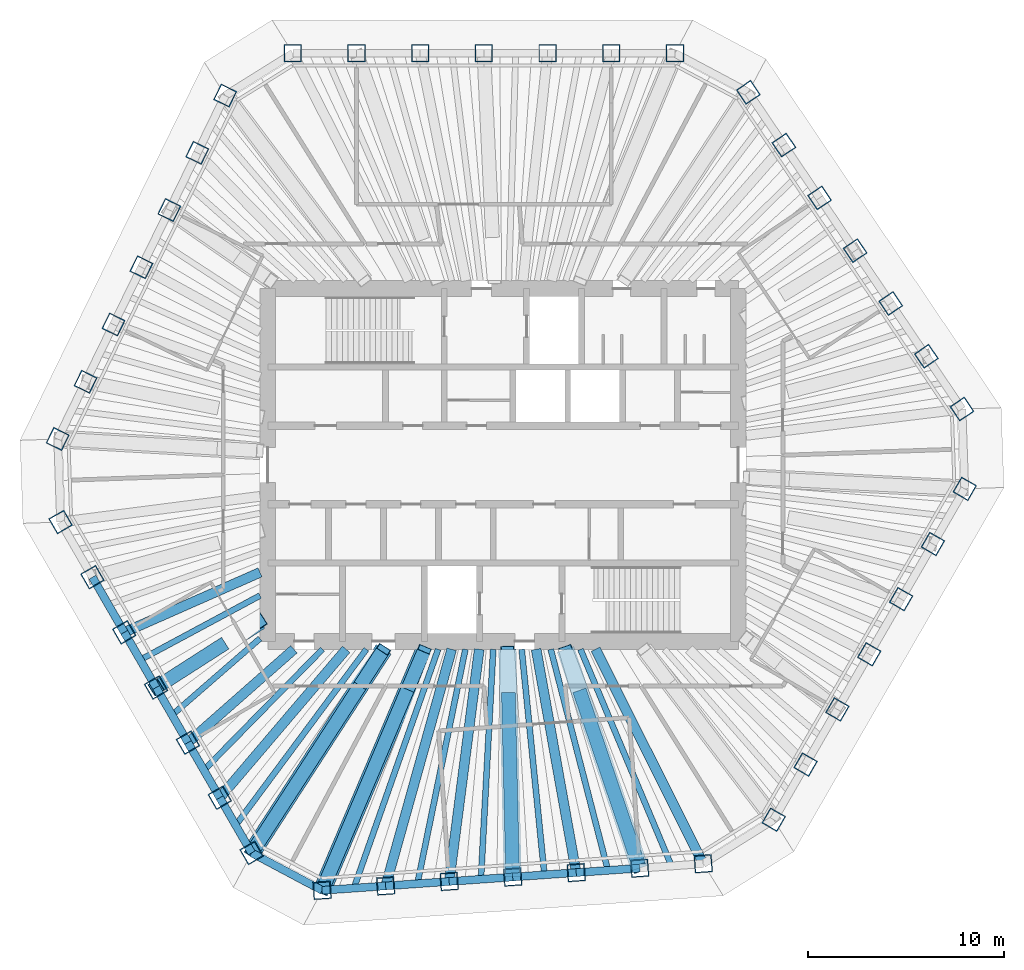
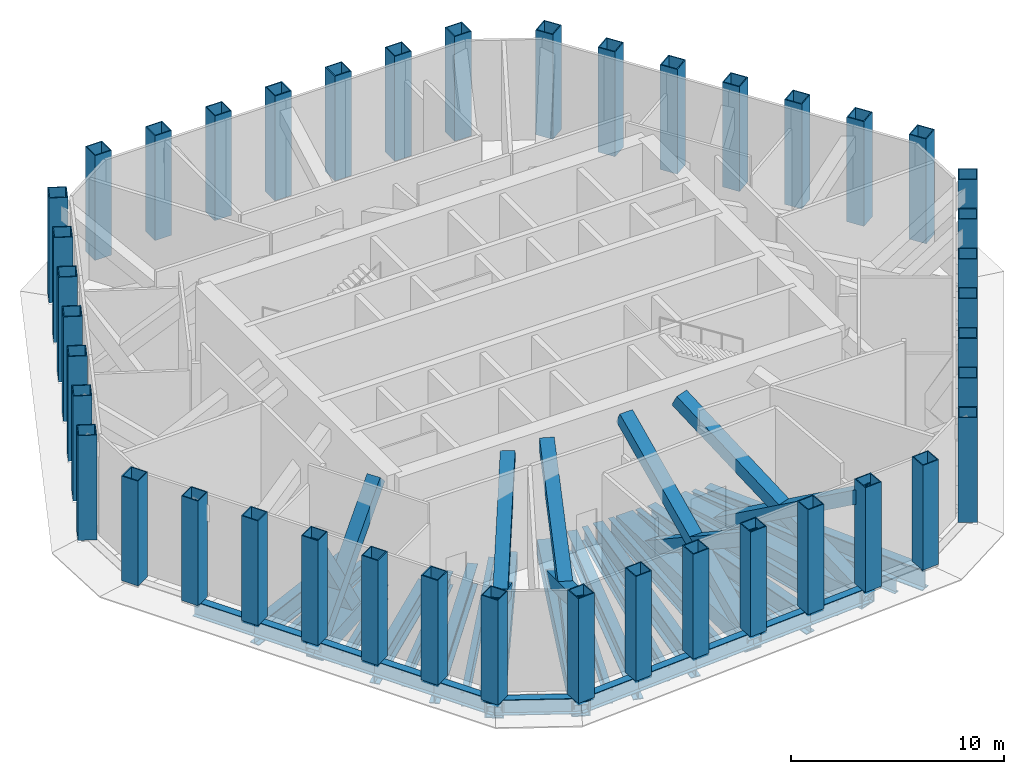
# One storey, part 1 of 10: 42 columns, 33 beams, 10 members.
"""IFC4 building model written with IfcOpenShell, lengths in metres."""

from ifc_helpers import new_model, si_unit, direction, frame, origin, origin_2d, place, context, subcontext, project, spatial, hollow_rectangle, i_section, extrude, material, material_profile, profile_set, type_object, element, save


model = new_model("IFC4")

# Units and contexts
model_context = context("Model", 3, precision=1e-05, world=origin(), true_north=direction((0.0, 1.0)))
body_context = subcontext(model_context, "Body", "Model", "MODEL_VIEW")
ifc_project = project(units=[si_unit("LENGTHUNIT", "METRE"), si_unit("AREAUNIT", "SQUARE_METRE"), si_unit("VOLUMEUNIT", "CUBIC_METRE"), si_unit("PLANEANGLEUNIT", "RADIAN"), si_unit("MASSUNIT", "GRAM", prefix="KILO")], contexts=[model_context])

# Site, building, storey
site_placement = place(None, origin())
site = spatial("IfcSite", under=ifc_project, at=site_placement, CompositionType="ELEMENT")
building_placement = place(site_placement, origin())
building = spatial("IfcBuilding", under=site, at=building_placement, Name="Qingtian Harvest Tower", CompositionType="ELEMENT")
storey_placement = place(building_placement, frame((0.0, 0.0, 337.60009765625)))
storey = spatial("IfcBuildingStorey", under=building, at=storey_placement, Name="L75", CompositionType="ELEMENT", Elevation=337.60009765625)

# Columns
ifc_material_1 = material(Name="Steel SM570MC", Category="steel")
ifc_material_profile_1 = material_profile(ifc_material_1, hollow_rectangle(XDim=0.89990234375, YDim=0.89990234375, WallThickness=0.050048828125, at=origin_2d()), Name="BOX900x900x50")
ifc_profile_set_1 = profile_set([ifc_material_profile_1], Name="Steel SM570MC")
column_type = type_object("IfcColumnType", Name="Tube column TC8 BOX900x900x50", PredefinedType="COLUMN", material=ifc_profile_set_1)
for number, where, z_axis, x_axis, name in (
    (1, (-10.72216796875, 21.0, 0.0), (0.0, 0.0, 1.0), (-1.0, 0.0, 0.0), "Tube column TC8 N0"),
    (2, (-7.47412109375, 21.0, 0.0), (0.0, 0.0, 1.0), (-1.0, 0.0, 0.0), "Tube column TC8 N1"),
    (3, (-4.226318359375, 21.0, 0.0), (0.0, 0.0, 1.0), (-1.0, 0.0, 0.0), "Tube column TC8 N2"),
    (4, (-0.978271484375, 21.0, 0.0), (0.0, 0.0, 1.0), (-1.0, 0.0, 0.0), "Tube column TC8 N3"),
    (5, (2.269775390625, 21.0, 0.0), (0.0, 0.0, 1.0), (-1.0, 0.0, 0.0), "Tube column TC8 N4"),
    (6, (5.517822265625, 21.0, 0.0), (0.0, 0.0, 1.0), (-1.0, 0.0, 0.0), "Tube column TC8 N5"),
    (7, (8.765869140625, 21.0, 0.0), (0.0, 0.0, 1.0), (-1.0, 0.0, 0.0), "Tube column TC8 N6"),
    (8, (12.508056640625, 19.01025390625, 0.0), (0.0, 0.0, 1.0), (-0.559192903471, 0.829037572555, 0.0), "Tube column TC8 NE0"),
    (9, (14.32421875, 16.317626953125, 0.0), (0.0, 0.0, 1.0), (-0.559192903471, 0.829037572555, 0.0), "Tube column TC8 NE1"),
    (10, (16.140625, 13.624755859375, 0.0), (0.0, 0.0, 1.0), (-0.559192903471, 0.829037572555, 0.0), "Tube column TC8 NE2"),
    (11, (17.956787109375, 10.93212890625, 0.0), (0.0, 0.0, 1.0), (-0.559192903471, 0.829037572555, 0.0), "Tube column TC8 NE3"),
    (12, (19.77294921875, 8.2392578125, 0.0), (0.0, 0.0, 1.0), (-0.559192903471, 0.829037572555, 0.0), "Tube column TC8 NE4"),
    (13, (21.58935546875, 5.546630859375, 0.0), (0.0, 0.0, 1.0), (-0.559192903471, 0.829037572555, 0.0), "Tube column TC8 NE5"),
    (14, (23.405517578125, 2.85400390625, 0.0), (0.0, 0.0, 1.0), (-0.559192903471, 0.829037572555, 0.0), "Tube column TC8 NE6"),
    (15, (23.547607421875, -1.21435546875, 0.0), (0.0, 0.0, 1.0), (0.5, 0.866025403784, 0.0), "Tube column TC8 SE0"),
    (16, (21.923583984375, -4.027099609375, 0.0), (0.0, 0.0, 1.0), (0.5, 0.866025403784, 0.0), "Tube column TC8 SE1"),
    (17, (20.299560546875, -6.840087890625, 0.0), (0.0, 0.0, 1.0), (0.5, 0.866025403784, 0.0), "Tube column TC8 SE2"),
    (18, (18.675537109375, -9.65283203125, 0.0), (0.0, 0.0, 1.0), (0.5, 0.866025403784, 0.0), "Tube column TC8 SE3"),
    (19, (17.051513671875, -12.4658203125, 0.0), (0.0, 0.0, 1.0), (0.5, 0.866025403784, 0.0), "Tube column TC8 SE4"),
    (20, (15.427490234375, -15.278564453125, 0.0), (0.0, 0.0, 1.0), (0.5, 0.866025403784, 0.0), "Tube column TC8 SE5"),
    (21, (13.803466796875, -18.091552734375, 0.0), (0.0, 0.0, 1.0), (0.5, 0.866025403784, 0.0), "Tube column TC8 SE6"),
    (22, (10.20947265625, -20.33740234375, 0.0), (0.0, 0.0, 1.0), (0.99756405026, 0.069756473744, 0.0), "Tube column TC8 S0"),
    (23, (6.96923828125, -20.56396484375, 0.0), (0.0, 0.0, 1.0), (0.99756405026, 0.069756473744, 0.0), "Tube column TC8 S1"),
    (24, (3.729248046875, -20.79052734375, 0.0), (0.0, 0.0, 1.0), (0.99756405026, 0.069756473744, 0.0), "Tube column TC8 S2"),
    (25, (0.489013671875, -21.01708984375, 0.0), (0.0, 0.0, 1.0), (0.99756405026, 0.069756473744, 0.0), "Tube column TC8 S3"),
    (26, (-2.7509765625, -21.24365234375, 0.0), (0.0, 0.0, 1.0), (0.99756405026, 0.069756473744, 0.0), "Tube column TC8 S4"),
    (27, (-5.9912109375, -21.47021484375, 0.0), (0.0, 0.0, 1.0), (0.99756405026, 0.069756473744, 0.0), "Tube column TC8 S5"),
    (28, (-9.231201171875, -21.69677734375, 0.0), (0.0, 0.0, 1.0), (0.99756405026, 0.069756473744, 0.0), "Tube column TC8 S6"),
    (29, (-12.825439453125, -19.78564453125, 0.0), (0.0, 0.0, 1.0), (0.5, -0.866025403784, 0.0), "Tube column TC8 SW0"),
    (30, (-14.449462890625, -16.972900390625, 0.0), (0.0, 0.0, 1.0), (0.5, -0.866025403784, 0.0), "Tube column TC8 SW1"),
    (31, (-16.073486328125, -14.159912109375, 0.0), (0.0, 0.0, 1.0), (0.5, -0.866025403784, 0.0), "Tube column TC8 SW2"),
    (32, (-17.697509765625, -11.34716796875, 0.0), (0.0, 0.0, 1.0), (0.5, -0.866025403784, 0.0), "Tube column TC8 SW3"),
    (33, (-19.321533203125, -8.5341796875, 0.0), (0.0, 0.0, 1.0), (0.5, -0.866025403784, 0.0), "Tube column TC8 SW4"),
    (34, (-20.945556640625, -5.721435546875, 0.0), (0.0, 0.0, 1.0), (0.5, -0.866025403784, 0.0), "Tube column TC8 SW5"),
    (35, (-22.569580078125, -2.908447265625, 0.0), (0.0, 0.0, 1.0), (0.5, -0.866025403784, 0.0), "Tube column TC8 SW6"),
    (36, (-22.71728515625, 1.3271484375, 0.0), (0.0, 0.0, 1.0), (-0.438371146789, -0.898794046299, 0.0), "Tube column TC8 NW0"),
    (37, (-21.29345703125, 4.246337890625, 0.0), (0.0, 0.0, 1.0), (-0.438371146789, -0.898794046299, 0.0), "Tube column TC8 NW1"),
    (38, (-19.86962890625, 7.165771484375, 0.0), (0.0, 0.0, 1.0), (-0.438371146789, -0.898794046299, 0.0), "Tube column TC8 NW2"),
    (39, (-18.44580078125, 10.0849609375, 0.0), (0.0, 0.0, 1.0), (-0.438371146789, -0.898794046299, 0.0), "Tube column TC8 NW3"),
    (40, (-17.02197265625, 13.00439453125, 0.0), (0.0, 0.0, 1.0), (-0.438371146789, -0.898794046299, 0.0), "Tube column TC8 NW4"),
    (41, (-15.59814453125, 15.923583984375, 0.0), (0.0, 0.0, 1.0), (-0.438371146789, -0.898794046299, 0.0), "Tube column TC8 NW5"),
    (42, (-14.17431640625, 18.8427734375, 0.0), (0.0, 0.0, 1.0), (-0.438371146789, -0.898794046299, 0.0), "Tube column TC8 NW6"),
):
    element("IfcColumn", number, at=place(storey_placement, frame(where, z_axis=z_axis, x_axis=x_axis)), inside=storey, type_object=column_type, Name=name, PredefinedType="COLUMN", context=body_context, shape_type="SweptSolid", body=[
        extrude(hollow_rectangle(XDim=0.89990234375, YDim=0.89990234375, WallThickness=0.050048828125, at=origin_2d()), origin(), (0.0, 0.0, 1.0), 6.0),
    ])

# Beams
ifc_material_2 = material(Name="Steel SN490B", Category="steel")
ifc_material_profile_2 = material_profile(ifc_material_2, i_section(OverallWidth=0.300048828125, OverallDepth=0.800048828125, WebThickness=0.013916015625, FlangeThickness=0.02587890625, at=origin_2d()), Name="H800x300x14x26")
ifc_profile_set_2 = profile_set([ifc_material_profile_2], Name="Steel SN490B")
beam_type_1 = type_object("IfcBeamType", Name="Floor joist J1 H800x300x14x26", PredefinedType="JOIST", material=ifc_profile_set_2)
beam_1_placement = place(storey_placement, frame((8.58935546875, -20.45068359375, -0.68017578125), z_axis=(-0.387234562114, 0.921981232946, 0.0), x_axis=(-0.921981232946, -0.387234562114, 0.0)))
element("IfcBeam", 43, at=beam_1_placement, inside=storey, type_object=beam_type_1, Name="Floor joist J1 S0", PredefinedType="JOIST", context=body_context, shape_type="SweptSolid", body=[
    extrude(i_section(OverallWidth=0.300048828125, OverallDepth=0.800048828125, WebThickness=0.013916015625, FlangeThickness=0.02587890625, at=origin_2d()), origin(), (0.0, 0.0, 1.0), 11.98583984375),
])
beam_2_placement = place(storey_placement, frame((5.349365234375, -20.67724609375, -0.68017578125), z_axis=(-0.250457336117, 0.968127637652, 0.0), x_axis=(-0.968127637652, -0.250457336117, 0.0)))
element("IfcBeam", 44, at=beam_2_placement, inside=storey, type_object=beam_type_1, Name="Floor joist J1 S1", PredefinedType="JOIST", context=body_context, shape_type="SweptSolid", body=[
    extrude(i_section(OverallWidth=0.300048828125, OverallDepth=0.800048828125, WebThickness=0.013916015625, FlangeThickness=0.02587890625, at=origin_2d()), origin(), (0.0, 0.0, 1.0), 11.648681640625),
])
beam_3_placement = place(storey_placement, frame((2.109130859375, -20.90380859375, -0.68017578125), z_axis=(-0.100381738783, 0.994948996943, 0.0), x_axis=(-0.994948996943, -0.100381738783, 0.0)))
element("IfcBeam", 45, at=beam_3_placement, inside=storey, type_object=beam_type_1, Name="Floor joist J1 S2", PredefinedType="JOIST", context=body_context, shape_type="SweptSolid", body=[
    extrude(i_section(OverallWidth=0.300048828125, OverallDepth=0.800048828125, WebThickness=0.013916015625, FlangeThickness=0.02587890625, at=origin_2d()), origin(), (0.0, 0.0, 1.0), 11.562255859375),
])
beam_4_placement = place(storey_placement, frame((-1.130859375, -21.13037109375, -0.68017578125), z_axis=(0.053432551321, 0.998571460868, 0.0), x_axis=(-0.998571460868, 0.053432551321, 0.0)))
element("IfcBeam", 46, at=beam_4_placement, inside=storey, type_object=beam_type_1, Name="Floor joist J1 S3", PredefinedType="JOIST", context=body_context, shape_type="SweptSolid", body=[
    extrude(i_section(OverallWidth=0.300048828125, OverallDepth=0.800048828125, WebThickness=0.013916015625, FlangeThickness=0.02587890625, at=origin_2d()), origin(), (0.0, 0.0, 1.0), 11.747314453125),
])
beam_5_placement = place(storey_placement, frame((-4.37109375, -21.35693359375, -0.68017578125), z_axis=(0.200514926646, 0.97969064719, 0.0), x_axis=(-0.97969064719, 0.200514926646, 0.0)))
element("IfcBeam", 47, at=beam_5_placement, inside=storey, type_object=beam_type_1, Name="Floor joist J1 S4", PredefinedType="JOIST", context=body_context, shape_type="SweptSolid", body=[
    extrude(i_section(OverallWidth=0.300048828125, OverallDepth=0.800048828125, WebThickness=0.013916015625, FlangeThickness=0.02587890625, at=origin_2d()), origin(), (0.0, 0.0, 1.0), 12.204833984375),
])
beam_6_placement = place(storey_placement, frame((-7.611083984375, -21.58349609375, -0.68017578125), z_axis=(0.332565071267, 0.9430803112, 0.0), x_axis=(-0.9430803112, 0.332565071267, 0.0)))
element("IfcBeam", 48, at=beam_6_placement, inside=storey, type_object=beam_type_1, Name="Floor joist J1 S5", PredefinedType="JOIST", context=body_context, shape_type="SweptSolid", body=[
    extrude(i_section(OverallWidth=0.300048828125, OverallDepth=0.800048828125, WebThickness=0.013916015625, FlangeThickness=0.02587890625, at=origin_2d()), origin(), (0.0, 0.0, 1.0), 12.9189453125),
])
beam_7_placement = place(storey_placement, frame((-13.637451171875, -18.37939453125, -0.68017578125), z_axis=(0.595869637911, 0.803081175608, 0.0), x_axis=(-0.803081175608, 0.595869637911, 0.0)))
element("IfcBeam", 49, at=beam_7_placement, inside=storey, type_object=beam_type_1, Name="Floor joist J1 SW0", PredefinedType="JOIST", context=body_context, shape_type="SweptSolid", body=[
    extrude(i_section(OverallWidth=0.300048828125, OverallDepth=0.800048828125, WebThickness=0.013916015625, FlangeThickness=0.02587890625, at=origin_2d()), origin(), (0.0, 0.0, 1.0), 11.181396484375),
])
beam_8_placement = place(storey_placement, frame((-15.261474609375, -15.56640625, -0.68017578125), z_axis=(0.700075085428, 0.714069236673, 0.0), x_axis=(-0.714069236673, 0.700075085428, 0.0)))
element("IfcBeam", 50, at=beam_8_placement, inside=storey, type_object=beam_type_1, Name="Floor joist J1 SW1", PredefinedType="JOIST", context=body_context, shape_type="SweptSolid", body=[
    extrude(i_section(OverallWidth=0.300048828125, OverallDepth=0.800048828125, WebThickness=0.013916015625, FlangeThickness=0.02587890625, at=origin_2d()), origin(), (0.0, 0.0, 1.0), 8.6357421875),
])
beam_9_placement = place(storey_placement, frame((-16.885498046875, -12.753662109375, -0.68017578125), z_axis=(0.754351783553, 0.656470400437, 0.0), x_axis=(-0.656470400437, 0.754351783553, 0.0)))
element("IfcBeam", 51, at=beam_9_placement, inside=storey, type_object=beam_type_1, Name="Floor joist J1 SW2", PredefinedType="JOIST", context=body_context, shape_type="SweptSolid", body=[
    extrude(i_section(OverallWidth=0.300048828125, OverallDepth=0.800048828125, WebThickness=0.013916015625, FlangeThickness=0.02587890625, at=origin_2d()), origin(), (0.0, 0.0, 1.0), 5.9462890625),
])
beam_10_placement = place(storey_placement, frame((-18.509521484375, -9.940673828125, -0.68017578125), z_axis=(0.880999592364, 0.473117023847, 0.0), x_axis=(-0.473117023847, 0.880999592364, 0.0)))
element("IfcBeam", 52, at=beam_10_placement, inside=storey, type_object=beam_type_1, Name="Floor joist J1 SW3", PredefinedType="JOIST", context=body_context, shape_type="SweptSolid", body=[
    extrude(i_section(OverallWidth=0.300048828125, OverallDepth=0.800048828125, WebThickness=0.013916015625, FlangeThickness=0.02587890625, at=origin_2d()), origin(), (0.0, 0.0, 1.0), 6.934814453125),
])
ifc_material_3 = material(Name="Steel SM570MC", Category="steel")
ifc_material_profile_3 = material_profile(ifc_material_3, hollow_rectangle(XDim=0.89990234375, YDim=0.89990234375, WallThickness=0.06005859375, at=origin_2d()), Name="BOX900x900x60")
ifc_profile_set_3 = profile_set([ifc_material_profile_3], Name="Steel SM570MC")
beam_type_2 = type_object("IfcBeamType", Name="Outrigger chord beam OC1 BOX900x900x60", PredefinedType="BEAM", material=ifc_profile_set_3)
beam_11_placement = place(storey_placement, frame((6.96923828125, -20.56396484375, -0.72998046875), z_axis=(-0.320964658262, 0.947091172035, 0.0), x_axis=(-0.947091172035, -0.320964658262, 0.0)))
element("IfcBeam", 53, at=beam_11_placement, inside=storey, type_object=beam_type_2, Name="Floor beam OC1 S1", PredefinedType="BEAM", context=body_context, shape_type="SweptSolid", body=[
    extrude(hollow_rectangle(XDim=0.89990234375, YDim=0.89990234375, WallThickness=0.06005859375, at=origin_2d()), origin(), (0.0, 0.0, 1.0), 11.787841796875),
])
beam_12_placement = place(storey_placement, frame((0.489013671875, -21.01708984375, -0.72998046875), z_axis=(-0.023257829451, 0.9997295001, 0.0), x_axis=(-0.9997295001, -0.023257829451, 0.0)))
element("IfcBeam", 54, at=beam_12_placement, inside=storey, type_object=beam_type_2, Name="Floor beam OC1 S3", PredefinedType="BEAM", context=body_context, shape_type="SweptSolid", body=[
    extrude(hollow_rectangle(XDim=0.89990234375, YDim=0.89990234375, WallThickness=0.06005859375, at=origin_2d()), origin(), (0.0, 0.0, 1.0), 11.620361328125),
])
beam_13_placement = place(storey_placement, frame((-9.231201171875, -21.69677734375, -0.72998046875), z_axis=(0.391505797179, 0.920175641264, 0.0), x_axis=(-0.920175641264, 0.391505797179, 0.0)))
element("IfcBeam", 55, at=beam_13_placement, inside=storey, type_object=beam_type_2, Name="Floor beam OC1 S6", PredefinedType="BEAM", context=body_context, shape_type="SweptSolid", body=[
    extrude(hollow_rectangle(XDim=0.89990234375, YDim=0.89990234375, WallThickness=0.06005859375, at=origin_2d()), origin(), (0.0, 0.0, 1.0), 13.363525390625),
])
beam_14_placement = place(storey_placement, frame((-12.825439453125, -19.78564453125, -0.72998046875), z_axis=(0.543934037964, 0.839127977334, 0.0), x_axis=(-0.839127977334, 0.543934037964, 0.0)))
element("IfcBeam", 56, at=beam_14_placement, inside=storey, type_object=beam_type_2, Name="Floor beam OC1 SW0", PredefinedType="BEAM", context=body_context, shape_type="SweptSolid", body=[
    extrude(hollow_rectangle(XDim=0.89990234375, YDim=0.89990234375, WallThickness=0.06005859375, at=origin_2d()), origin(), (0.0, 0.0, 1.0), 12.376708984375),
])
beam_15_placement = place(storey_placement, frame((-17.697509765625, -11.34716796875, -0.72998046875), z_axis=(0.841819476537, 0.539759176785, 0.0), x_axis=(-0.539759176785, 0.841819476537, 0.0)))
element("IfcBeam", 57, at=beam_15_placement, inside=storey, type_object=beam_type_2, Name="Floor beam OC1 SW3", PredefinedType="BEAM", context=body_context, shape_type="SweptSolid", body=[
    extrude(hollow_rectangle(XDim=0.89990234375, YDim=0.89990234375, WallThickness=0.06005859375, at=origin_2d()), origin(), (0.0, 0.0, 1.0), 6.29296875),
])

# Members
ifc_material_4 = material(Name="Steel SM570MC", Category="steel")
ifc_material_profile_4 = material_profile(ifc_material_4, hollow_rectangle(XDim=0.699951171875, YDim=0.699951171875, WallThickness=0.0400390625, at=origin_2d()), Name="BOX700x700x40")
ifc_profile_set_4 = profile_set([ifc_material_profile_4], Name="Steel SM570MC")
member_type = type_object("IfcMemberType", Name="Outrigger diagonal OT4 BOX700x700x40", PredefinedType="BRACE", material=ifc_profile_set_4)
member_1_placement = place(storey_placement, frame((6.96923828125, -20.56396484375, -0.72998046875), z_axis=(-0.285749505498, 0.843179543617, 0.455406935975), x_axis=(-0.947091172035, -0.320964658262, 0.0)))
element("IfcMember", 58, at=member_1_placement, inside=storey, type_object=member_type, Name="Outrigger diagonal OT4 L75 S1-1", PredefinedType="BRACE", context=body_context, shape_type="SweptSolid", body=[
    extrude(hollow_rectangle(XDim=0.699951171875, YDim=0.699951171875, WallThickness=0.0400390625, at=origin_2d()), origin(), (0.0, 0.0, 1.0), 13.240478515625),
])
member_2_placement = place(storey_placement, frame((3.9560546875, -11.673095703125, -0.72998046875), z_axis=(0.270064090105, -0.796866307677, 0.540434524179), x_axis=(0.947087588626, 0.320975231865, 0.0)))
element("IfcMember", 59, at=member_2_placement, inside=storey, type_object=member_type, Name="Outrigger diagonal OT4 L75 S1-2", PredefinedType="BRACE", context=body_context, shape_type="SweptSolid", body=[
    extrude(hollow_rectangle(XDim=0.699951171875, YDim=0.699951171875, WallThickness=0.0400390625, at=origin_2d()), origin(), (0.0, 0.0, 1.0), 11.1572265625),
])
member_3_placement = place(storey_placement, frame((-9.231201171875, -21.69677734375, -0.72998046875), z_axis=(0.356860911941, 0.838748036054, 0.411280952082), x_axis=(-0.920175641264, 0.391505797179, 0.0)))
element("IfcMember", 60, at=member_3_placement, inside=storey, type_object=member_type, Name="Outrigger diagonal OT4 L75 S6-1", PredefinedType="BRACE", context=body_context, shape_type="SweptSolid", body=[
    extrude(hollow_rectangle(XDim=0.699951171875, YDim=0.699951171875, WallThickness=0.0400390625, at=origin_2d()), origin(), (0.0, 0.0, 1.0), 14.660888671875),
])
member_4_placement = place(storey_placement, frame((-4.93896484375, -11.6083984375, -0.72998046875), z_axis=(-0.343042077305, -0.806278637074, 0.481909631152), x_axis=(0.92017733784, -0.391501809607, 0.0)))
element("IfcMember", 61, at=member_4_placement, inside=storey, type_object=member_type, Name="Outrigger diagonal OT4 L75 S6-2", PredefinedType="BRACE", context=body_context, shape_type="SweptSolid", body=[
    extrude(hollow_rectangle(XDim=0.699951171875, YDim=0.699951171875, WallThickness=0.0400390625, at=origin_2d()), origin(), (0.0, 0.0, 1.0), 12.51220703125),
])
member_5_placement = place(storey_placement, frame((0.489013671875, -21.01708984375, -0.72998046875), z_axis=(-0.020644027583, 0.887376159442, 0.460583733732), x_axis=(-0.9997295001, -0.023257829451, 0.0)))
element("IfcMember", 62, at=member_5_placement, inside=storey, type_object=member_type, Name="Outrigger diagonal OT4 L75 S3-1", PredefinedType="BRACE", context=body_context, shape_type="SweptSolid", body=[
    extrude(hollow_rectangle(XDim=0.699951171875, YDim=0.699951171875, WallThickness=0.0400390625, at=origin_2d()), origin(), (0.0, 0.0, 1.0), 13.091552734375),
])
member_6_placement = place(storey_placement, frame((0.274658203125, -11.79931640625, -0.72998046875), z_axis=(0.019457006385, -0.836695595768, 0.547322487136), x_axis=(0.999729721822, 0.023248296847, 0.0)))
element("IfcMember", 63, at=member_6_placement, inside=storey, type_object=member_type, Name="Outrigger diagonal OT4 L75 S3-2", PredefinedType="BRACE", context=body_context, shape_type="SweptSolid", body=[
    extrude(hollow_rectangle(XDim=0.699951171875, YDim=0.699951171875, WallThickness=0.0400390625, at=origin_2d()), origin(), (0.0, 0.0, 1.0), 11.016845703125),
])
member_7_placement = place(storey_placement, frame((-17.697509765625, -11.34716796875, -0.72998046875), z_axis=(0.607834352575, 0.38973221565, 0.691842612098), x_axis=(-0.539759176785, 0.841819476537, 0.0)))
element("IfcMember", 64, at=member_7_placement, inside=storey, type_object=member_type, Name="Outrigger diagonal OT4 L75 SW3-1", PredefinedType="BRACE", context=body_context, shape_type="SweptSolid", body=[
    extrude(hollow_rectangle(XDim=0.699951171875, YDim=0.699951171875, WallThickness=0.0400390625, at=origin_2d()), origin(), (0.0, 0.0, 1.0), 8.715576171875),
])
member_8_placement = place(storey_placement, frame((-14.42041015625, -9.245849609375, -0.72998046875), z_axis=(-0.456594054813, -0.292773972269, 0.8401221758), x_axis=(0.539777802515, -0.84180753377, 0.0)))
element("IfcMember", 65, at=member_8_placement, inside=storey, type_object=member_type, Name="Outrigger diagonal OT4 L75 SW3-2", PredefinedType="BRACE", context=body_context, shape_type="SweptSolid", body=[
    extrude(hollow_rectangle(XDim=0.699951171875, YDim=0.699951171875, WallThickness=0.0400390625, at=origin_2d()), origin(), (0.0, 0.0, 1.0), 7.17724609375),
])
member_9_placement = place(storey_placement, frame((-12.825439453125, -19.78564453125, -0.72998046875), z_axis=(0.488990431815, 0.754366381484, 0.43797228232), x_axis=(-0.839127977334, 0.543934037964, 0.0)))
element("IfcMember", 66, at=member_9_placement, inside=storey, type_object=member_type, Name="Outrigger diagonal OT4 L75 SW0-1", PredefinedType="BRACE", context=body_context, shape_type="SweptSolid", body=[
    extrude(hollow_rectangle(XDim=0.699951171875, YDim=0.699951171875, WallThickness=0.0400390625, at=origin_2d()), origin(), (0.0, 0.0, 1.0), 13.767578125),
])
member_10_placement = place(storey_placement, frame((-7.398681640625, -11.413818359375, -0.72998046875), z_axis=(-0.465519555636, -0.718154178617, 0.517248604692), x_axis=(0.839126718369, -0.543935980167, 0.0)))
element("IfcMember", 67, at=member_10_placement, inside=storey, type_object=member_type, Name="Outrigger diagonal OT4 L75 SW0-2", PredefinedType="BRACE", context=body_context, shape_type="SweptSolid", body=[
    extrude(hollow_rectangle(XDim=0.699951171875, YDim=0.699951171875, WallThickness=0.0400390625, at=origin_2d()), origin(), (0.0, 0.0, 1.0), 11.657470703125),
])

# Beams
ifc_material_5 = material(Name="Steel SM570MC", Category="steel")
ifc_material_profile_5 = material_profile(ifc_material_5, i_section(OverallWidth=0.5, OverallDepth=1.199951171875, WebThickness=0.02490234375, FlangeThickness=0.050048828125, at=origin_2d()), Name="H1200x500x25x50")
ifc_profile_set_5 = profile_set([ifc_material_profile_5], Name="Steel SM570MC")
beam_type_3 = type_object("IfcBeamType", Name="Plant corner beam FB10 H1200x500x25x50", PredefinedType="BEAM", material=ifc_profile_set_5)
beam_16_placement = place(storey_placement, frame((10.20947265625, -20.33740234375, -0.880126953125), z_axis=(-0.448649335107, 0.893707879627, 0.0), x_axis=(-0.893707879627, -0.448649335107, 0.0)))
element("IfcBeam", 68, at=beam_16_placement, inside=storey, type_object=beam_type_3, Name="Floor beam FB10 S0", PredefinedType="BEAM", context=body_context, shape_type="SweptSolid", body=[
    extrude(i_section(OverallWidth=0.5, OverallDepth=1.199951171875, WebThickness=0.02490234375, FlangeThickness=0.050048828125, at=origin_2d()), origin(), (0.0, 0.0, 1.0), 12.23828125),
])
ifc_material_6 = material(Name="Steel SM570MC", Category="steel")
ifc_material_profile_6 = material_profile(ifc_material_6, i_section(OverallWidth=0.5, OverallDepth=1.199951171875, WebThickness=0.02490234375, FlangeThickness=0.050048828125, at=origin_2d()), Name="H1200x500x25x50")
ifc_profile_set_6 = profile_set([ifc_material_profile_6], Name="Steel SM570MC")
beam_type_4 = type_object("IfcBeamType", Name="Plant floor beam FB7 H1200x500x25x50", PredefinedType="BEAM", material=ifc_profile_set_6)
beam_17_placement = place(storey_placement, frame((3.729248046875, -20.79052734375, -0.880126953125), z_axis=(-0.176558725829, 0.984290107811, 0.0), x_axis=(-0.984290107811, -0.176558725829, 0.0)))
element("IfcBeam", 69, at=beam_17_placement, inside=storey, type_object=beam_type_4, Name="Floor beam FB7 S2", PredefinedType="BEAM", context=body_context, shape_type="SweptSolid", body=[
    extrude(i_section(OverallWidth=0.5, OverallDepth=1.199951171875, WebThickness=0.02490234375, FlangeThickness=0.050048828125, at=origin_2d()), origin(), (0.0, 0.0, 1.0), 11.572509765625),
])
beam_18_placement = place(storey_placement, frame((-2.7509765625, -21.24365234375, -0.880126953125), z_axis=(0.128421483878, 0.991719679385, 0.0), x_axis=(-0.991719679385, 0.128421483878, 0.0)))
element("IfcBeam", 70, at=beam_18_placement, inside=storey, type_object=beam_type_4, Name="Floor beam FB7 S4", PredefinedType="BEAM", context=body_context, shape_type="SweptSolid", body=[
    extrude(i_section(OverallWidth=0.5, OverallDepth=1.199951171875, WebThickness=0.02490234375, FlangeThickness=0.050048828125, at=origin_2d()), origin(), (0.0, 0.0, 1.0), 11.942626953125),
])
beam_19_placement = place(storey_placement, frame((-5.9912109375, -21.47021484375, -0.880126953125), z_axis=(0.268777110088, 0.963202400896, 0.0), x_axis=(-0.963202400896, 0.268777110088, 0.0)))
element("IfcBeam", 71, at=beam_19_placement, inside=storey, type_object=beam_type_4, Name="Floor beam FB7 S5", PredefinedType="BEAM", context=body_context, shape_type="SweptSolid", body=[
    extrude(i_section(OverallWidth=0.5, OverallDepth=1.199951171875, WebThickness=0.02490234375, FlangeThickness=0.050048828125, at=origin_2d()), origin(), (0.0, 0.0, 1.0), 12.531494140625),
])
beam_20_placement = place(storey_placement, frame((-14.449462890625, -16.972900390625, -0.880126953125), z_axis=(0.648230392117, 0.761444258457, 0.0), x_axis=(-0.761444258457, 0.648230392117, 0.0)))
element("IfcBeam", 72, at=beam_20_placement, inside=storey, type_object=beam_type_4, Name="Floor beam FB7 SW1", PredefinedType="BEAM", context=body_context, shape_type="SweptSolid", body=[
    extrude(i_section(OverallWidth=0.5, OverallDepth=1.199951171875, WebThickness=0.02490234375, FlangeThickness=0.050048828125, at=origin_2d()), origin(), (0.0, 0.0, 1.0), 9.945556640625),
])
beam_21_placement = place(storey_placement, frame((-16.073486328125, -14.159912109375, -0.880126953125), z_axis=(0.750362998803, 0.661025997997, 0.0), x_axis=(-0.661025997997, 0.750362998803, 0.0)))
element("IfcBeam", 73, at=beam_21_placement, inside=storey, type_object=beam_type_4, Name="Floor beam FB7 SW2", PredefinedType="BEAM", context=body_context, shape_type="SweptSolid", body=[
    extrude(i_section(OverallWidth=0.5, OverallDepth=1.199951171875, WebThickness=0.02490234375, FlangeThickness=0.050048828125, at=origin_2d()), origin(), (0.0, 0.0, 1.0), 7.200927734375),
])
beam_22_placement = place(storey_placement, frame((-19.321533203125, -8.5341796875, -0.880126953125), z_axis=(0.914748451897, 0.404023848, 0.0), x_axis=(-0.404023848, 0.914748451897, 0.0)))
element("IfcBeam", 74, at=beam_22_placement, inside=storey, type_object=beam_type_4, Name="Floor beam FB7 SW4", PredefinedType="BEAM", context=body_context, shape_type="SweptSolid", body=[
    extrude(i_section(OverallWidth=0.5, OverallDepth=1.199951171875, WebThickness=0.02490234375, FlangeThickness=0.050048828125, at=origin_2d()), origin(), (0.0, 0.0, 1.0), 7.566650390625),
])
ifc_material_7 = material(Name="Steel SN490B", Category="steel")
ifc_material_profile_7 = material_profile(ifc_material_7, i_section(OverallWidth=0.39990234375, OverallDepth=0.89990234375, WebThickness=0.01904296875, FlangeThickness=0.035888671875, at=origin_2d()), Name="H900x400x19x36")
ifc_profile_set_7 = profile_set([ifc_material_profile_7], Name="Steel SN490B")
beam_type_5 = type_object("IfcBeamType", Name="Spandrel beam SB4 H900x400x19x36", PredefinedType="SPANDREL", material=ifc_profile_set_7)
beam_23_placement = place(storey_placement, frame((6.96923828125, -20.56396484375, -0.4501953125), z_axis=(-0.997564043571, -0.069756569394, 0.0), x_axis=(0.069756569394, -0.997564043571, 0.0)))
element("IfcBeam", 75, at=beam_23_placement, inside=storey, type_object=beam_type_5, Name="Spandrel SB4 S1", PredefinedType="SPANDREL", context=body_context, shape_type="SweptSolid", body=[
    extrude(i_section(OverallWidth=0.39990234375, OverallDepth=0.89990234375, WebThickness=0.01904296875, FlangeThickness=0.035888671875, at=origin_2d()), origin(), (0.0, 0.0, 1.0), 3.247802734375),
])
beam_24_placement = place(storey_placement, frame((3.729248046875, -20.79052734375, -0.4501953125), z_axis=(-0.9975644093, -0.069751339047, 0.0), x_axis=(0.069751339047, -0.9975644093, 0.0)))
element("IfcBeam", 76, at=beam_24_placement, inside=storey, type_object=beam_type_5, Name="Spandrel SB4 S2", PredefinedType="SPANDREL", context=body_context, shape_type="SweptSolid", body=[
    extrude(i_section(OverallWidth=0.39990234375, OverallDepth=0.89990234375, WebThickness=0.01904296875, FlangeThickness=0.035888671875, at=origin_2d()), origin(), (0.0, 0.0, 1.0), 3.248046875),
])
beam_25_placement = place(storey_placement, frame((0.489013671875, -21.01708984375, -0.4501953125), z_axis=(-0.997564043571, -0.069756569394, 0.0), x_axis=(0.069756569394, -0.997564043571, 0.0)))
element("IfcBeam", 77, at=beam_25_placement, inside=storey, type_object=beam_type_5, Name="Spandrel SB4 S3", PredefinedType="SPANDREL", context=body_context, shape_type="SweptSolid", body=[
    extrude(i_section(OverallWidth=0.39990234375, OverallDepth=0.89990234375, WebThickness=0.01904296875, FlangeThickness=0.035888671875, at=origin_2d()), origin(), (0.0, 0.0, 1.0), 3.247802734375),
])
beam_26_placement = place(storey_placement, frame((-2.7509765625, -21.24365234375, -0.4501953125), z_axis=(-0.9975644093, -0.069751339047, 0.0), x_axis=(0.069751339047, -0.9975644093, 0.0)))
element("IfcBeam", 78, at=beam_26_placement, inside=storey, type_object=beam_type_5, Name="Spandrel SB4 S4", PredefinedType="SPANDREL", context=body_context, shape_type="SweptSolid", body=[
    extrude(i_section(OverallWidth=0.39990234375, OverallDepth=0.89990234375, WebThickness=0.01904296875, FlangeThickness=0.035888671875, at=origin_2d()), origin(), (0.0, 0.0, 1.0), 3.248046875),
])
beam_27_placement = place(storey_placement, frame((-5.9912109375, -21.47021484375, -0.4501953125), z_axis=(-0.997564043571, -0.069756569394, 0.0), x_axis=(0.069756569394, -0.997564043571, 0.0)))
element("IfcBeam", 79, at=beam_27_placement, inside=storey, type_object=beam_type_5, Name="Spandrel SB4 S5", PredefinedType="SPANDREL", context=body_context, shape_type="SweptSolid", body=[
    extrude(i_section(OverallWidth=0.39990234375, OverallDepth=0.89990234375, WebThickness=0.01904296875, FlangeThickness=0.035888671875, at=origin_2d()), origin(), (0.0, 0.0, 1.0), 3.247802734375),
])
beam_28_placement = place(storey_placement, frame((-9.231201171875, -21.69677734375, -0.4501953125), z_axis=(-0.882943273379, 0.469479686456, 0.0), x_axis=(-0.469479686456, -0.882943273379, 0.0)))
element("IfcBeam", 80, at=beam_28_placement, inside=storey, type_object=beam_type_5, Name="Spandrel SB4 SC", PredefinedType="SPANDREL", context=body_context, shape_type="SweptSolid", body=[
    extrude(i_section(OverallWidth=0.39990234375, OverallDepth=0.89990234375, WebThickness=0.01904296875, FlangeThickness=0.035888671875, at=origin_2d()), origin(), (0.0, 0.0, 1.0), 4.07080078125),
])
beam_29_placement = place(storey_placement, frame((-12.825439453125, -19.78564453125, -0.4501953125), z_axis=(-0.500019593356, 0.866014091259, 0.0), x_axis=(-0.866014091259, -0.500019593356, 0.0)))
element("IfcBeam", 81, at=beam_29_placement, inside=storey, type_object=beam_type_5, Name="Spandrel SB4 SW0", PredefinedType="SPANDREL", context=body_context, shape_type="SweptSolid", body=[
    extrude(i_section(OverallWidth=0.39990234375, OverallDepth=0.89990234375, WebThickness=0.01904296875, FlangeThickness=0.035888671875, at=origin_2d()), origin(), (0.0, 0.0, 1.0), 3.247802734375),
])
beam_30_placement = place(storey_placement, frame((-14.449462890625, -16.972900390625, -0.4501953125), z_axis=(-0.499987045439, 0.866032882975, 0.0), x_axis=(-0.866032882975, -0.499987045439, 0.0)))
element("IfcBeam", 82, at=beam_30_placement, inside=storey, type_object=beam_type_5, Name="Spandrel SB4 SW1", PredefinedType="SPANDREL", context=body_context, shape_type="SweptSolid", body=[
    extrude(i_section(OverallWidth=0.39990234375, OverallDepth=0.89990234375, WebThickness=0.01904296875, FlangeThickness=0.035888671875, at=origin_2d()), origin(), (0.0, 0.0, 1.0), 3.248046875),
])
beam_31_placement = place(storey_placement, frame((-16.073486328125, -14.159912109375, -0.4501953125), z_axis=(-0.500019593356, 0.866014091259, 0.0), x_axis=(-0.866014091259, -0.500019593356, 0.0)))
element("IfcBeam", 83, at=beam_31_placement, inside=storey, type_object=beam_type_5, Name="Spandrel SB4 SW2", PredefinedType="SPANDREL", context=body_context, shape_type="SweptSolid", body=[
    extrude(i_section(OverallWidth=0.39990234375, OverallDepth=0.89990234375, WebThickness=0.01904296875, FlangeThickness=0.035888671875, at=origin_2d()), origin(), (0.0, 0.0, 1.0), 3.247802734375),
])
beam_32_placement = place(storey_placement, frame((-17.697509765625, -11.34716796875, -0.4501953125), z_axis=(-0.499987045439, 0.866032882975, 0.0), x_axis=(-0.866032882975, -0.499987045439, 0.0)))
element("IfcBeam", 84, at=beam_32_placement, inside=storey, type_object=beam_type_5, Name="Spandrel SB4 SW3", PredefinedType="SPANDREL", context=body_context, shape_type="SweptSolid", body=[
    extrude(i_section(OverallWidth=0.39990234375, OverallDepth=0.89990234375, WebThickness=0.01904296875, FlangeThickness=0.035888671875, at=origin_2d()), origin(), (0.0, 0.0, 1.0), 3.248046875),
])
beam_33_placement = place(storey_placement, frame((-19.321533203125, -8.5341796875, -0.4501953125), z_axis=(-0.500019593356, 0.866014091259, 0.0), x_axis=(-0.866014091259, -0.500019593356, 0.0)))
element("IfcBeam", 85, at=beam_33_placement, inside=storey, type_object=beam_type_5, Name="Spandrel SB4 SW4", PredefinedType="SPANDREL", context=body_context, shape_type="SweptSolid", body=[
    extrude(i_section(OverallWidth=0.39990234375, OverallDepth=0.89990234375, WebThickness=0.01904296875, FlangeThickness=0.035888671875, at=origin_2d()), origin(), (0.0, 0.0, 1.0), 3.247802734375),
])

save(model, "model.ifc")
